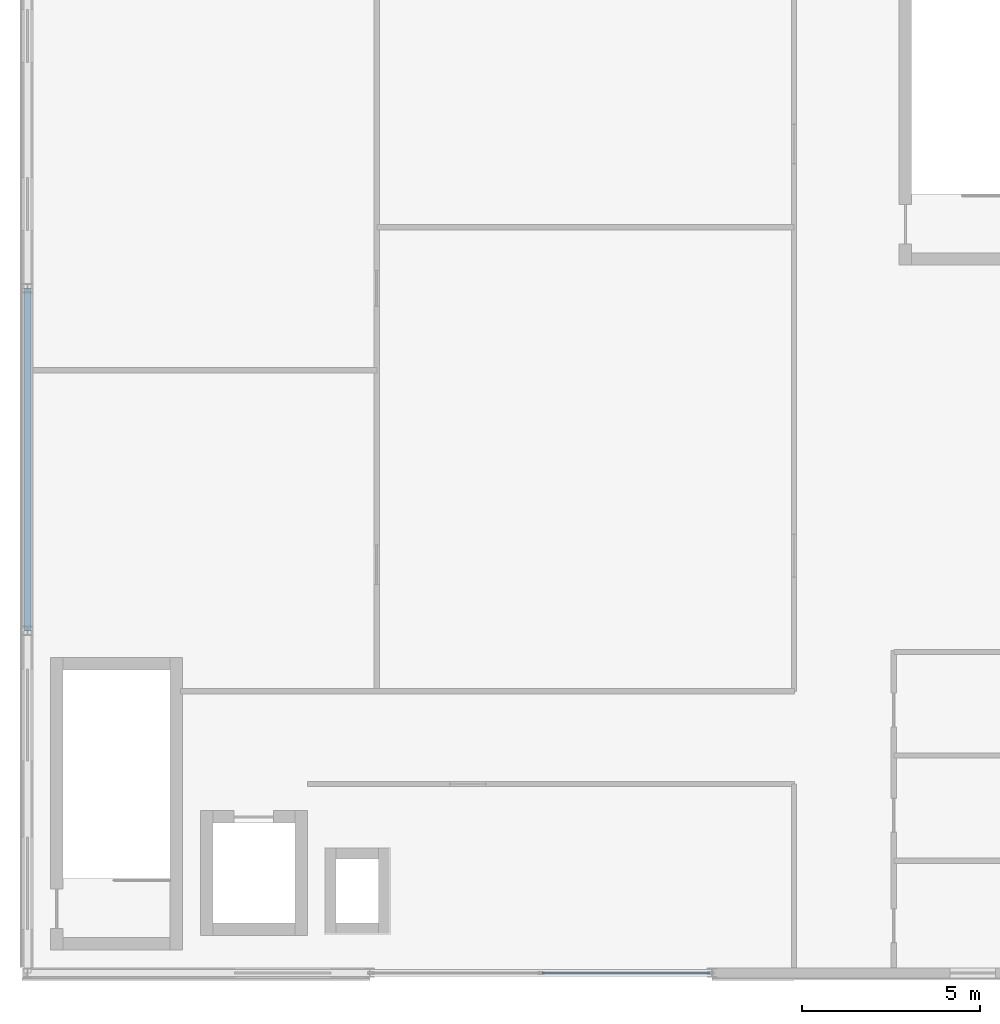
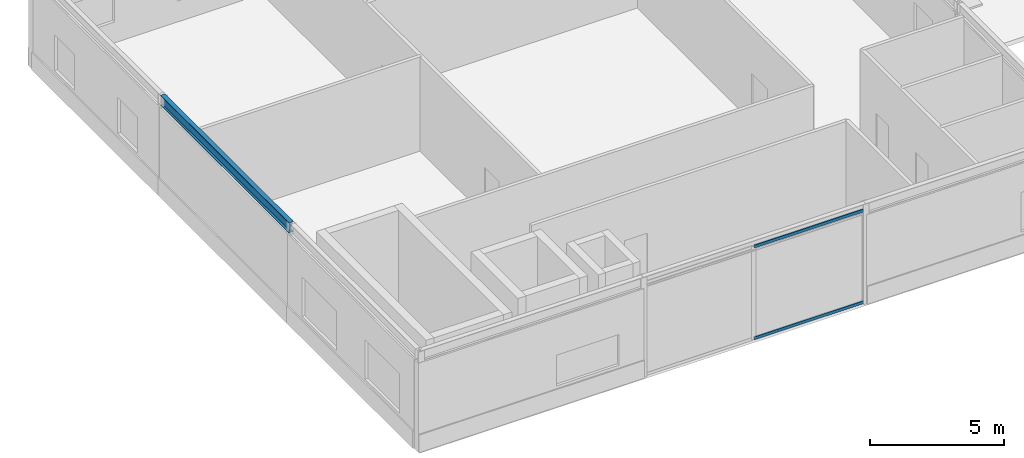
# One storey, part 20 of 133: 2 members, 1 beam, 1 element without a shape of its own.
"""IFC4 building model written with IfcOpenShell, lengths in metres."""

from ifc_helpers import new_model, si_unit, direction, frame, origin, origin_2d, place, context, subcontext, project, spatial, hollow_rectangle, i_section, extrude, material, material_profile, profile_set, type_object, element, aggregate, save


model = new_model("IFC4")

# Units and contexts
model_context = context("Model", 3, precision=1e-05, world=origin(), true_north=direction((0.0, 1.0)))
body_context = subcontext(model_context, "Body", "Model", "MODEL_VIEW")
ifc_project = project(units=[si_unit("LENGTHUNIT", "METRE"), si_unit("AREAUNIT", "SQUARE_METRE"), si_unit("VOLUMEUNIT", "CUBIC_METRE"), si_unit("PLANEANGLEUNIT", "RADIAN"), si_unit("MASSUNIT", "GRAM", prefix="KILO")], contexts=[model_context])

# Site, building, storey
site_placement = place(None, origin())
site = spatial("IfcSite", under=ifc_project, at=site_placement, CompositionType="ELEMENT")
building_placement = place(site_placement, origin())
building = spatial("IfcBuilding", under=site, at=building_placement, Name="Almandine Court Research Institute", CompositionType="ELEMENT")
storey_placement = place(building_placement, frame((0.0, 0.0, 9.800048828125)))
storey = spatial("IfcBuildingStorey", under=building, at=storey_placement, Name="L02", CompositionType="ELEMENT", Elevation=9.800048828125)

# Beam
ifc_material_1 = material(Name="Steel ASTM A992 Grade 50", Category="steel")
ifc_material_profile_1 = material_profile(ifc_material_1, i_section(OverallWidth=0.193115234375, OverallDepth=0.466064453125, WebThickness=0.010986328125, FlangeThickness=0.01904296875, at=origin_2d()), Name="W460x97")
ifc_profile_set_1 = profile_set([ifc_material_profile_1], Name="Steel ASTM A992 Grade 50")
beam_type = type_object("IfcBeamType", Name="Beam-G-06-E", PredefinedType="SPANDREL", material=ifc_profile_set_1)
beam_placement = place(storey_placement, frame((6.0, 15.60009765625, 4.31689453125), z_axis=(0.0, 1.0, 0.0), x_axis=(-1.0, 0.0, 0.0)))
element("IfcBeam", 1, at=beam_placement, inside=storey, type_object=beam_type, Name="L02 V1 Primary Y Girder", PredefinedType="SPANDREL", context=body_context, shape_type="SweptSolid", body=[
    extrude(i_section(OverallWidth=0.193115234375, OverallDepth=0.466064453125, WebThickness=0.010986328125, FlangeThickness=0.01904296875, at=origin_2d()), origin(), (0.0, 0.0, 1.0), 9.599853515625),
])

# Curtain wall, members
ifc_material_2 = material(Name="Unitised Curtain Wall Framing and Solar Glazing", Category="glass")
curtain_wall_type = type_object("IfcCurtainWallType", Name="CW-CWJ-03", PredefinedType="USERDEFINED", material=ifc_material_2)
curtain_wall_placement = place(storey_placement, origin())
curtain_wall = element("IfcCurtainWall", 2, at=curtain_wall_placement, inside=storey, type_object=curtain_wall_type, Name="L02 Lecture Foyer South Jali Curtain Wall", ObjectType="SOLAR JALI SCREEN", PredefinedType="USERDEFINED")
ifc_material_3 = material(Name="Anodised Aluminium AW-6063-T6", Category="aluminium")
ifc_material_profile_2 = material_profile(ifc_material_3, hollow_rectangle(XDim=0.06494140625, YDim=0.1298828125, WallThickness=0.00390625, at=origin_2d()), Name="ALU RHS 65x130x4")
ifc_profile_set_2 = profile_set([ifc_material_profile_2], Name="Anodised Aluminium AW-6063-T6")
member_type = type_object("IfcMemberType", Name="CWTrn-65x130", PredefinedType="NOTDEFINED", material=ifc_profile_set_2)
member_1_placement = place(storey_placement, frame((25.131103515625, 6.0, 0.032470703125), z_axis=(-1.0, 0.0, 0.0), x_axis=(0.0, -1.0, 0.0)))
member_1 = element("IfcMember", 3, at=member_1_placement, type_object=member_type, Name="CWJ-03 transom 1.1", ObjectType="TRANSOM", PredefinedType="USERDEFINED", context=body_context, shape_type="SweptSolid", body=[
    extrude(hollow_rectangle(XDim=0.06494140625, YDim=0.1298828125, WallThickness=0.00390625, at=origin_2d()), origin(), (0.0, 0.0, 1.0), 4.698486328125),
])
member_2_placement = place(storey_placement, frame((25.131103515625, 6.0, 4.217529296875), z_axis=(-1.0, 0.0, 0.0), x_axis=(0.0, -1.0, 0.0)))
member_2 = element("IfcMember", 4, at=member_2_placement, type_object=member_type, Name="CWJ-03 transom 1.2", ObjectType="TRANSOM", PredefinedType="USERDEFINED", context=body_context, shape_type="SweptSolid", body=[
    extrude(hollow_rectangle(XDim=0.06494140625, YDim=0.1298828125, WallThickness=0.00390625, at=origin_2d()), origin(), (0.0, 0.0, 1.0), 4.698486328125),
])
aggregate(curtain_wall, [member_1, member_2])

save(model, "model.ifc")
